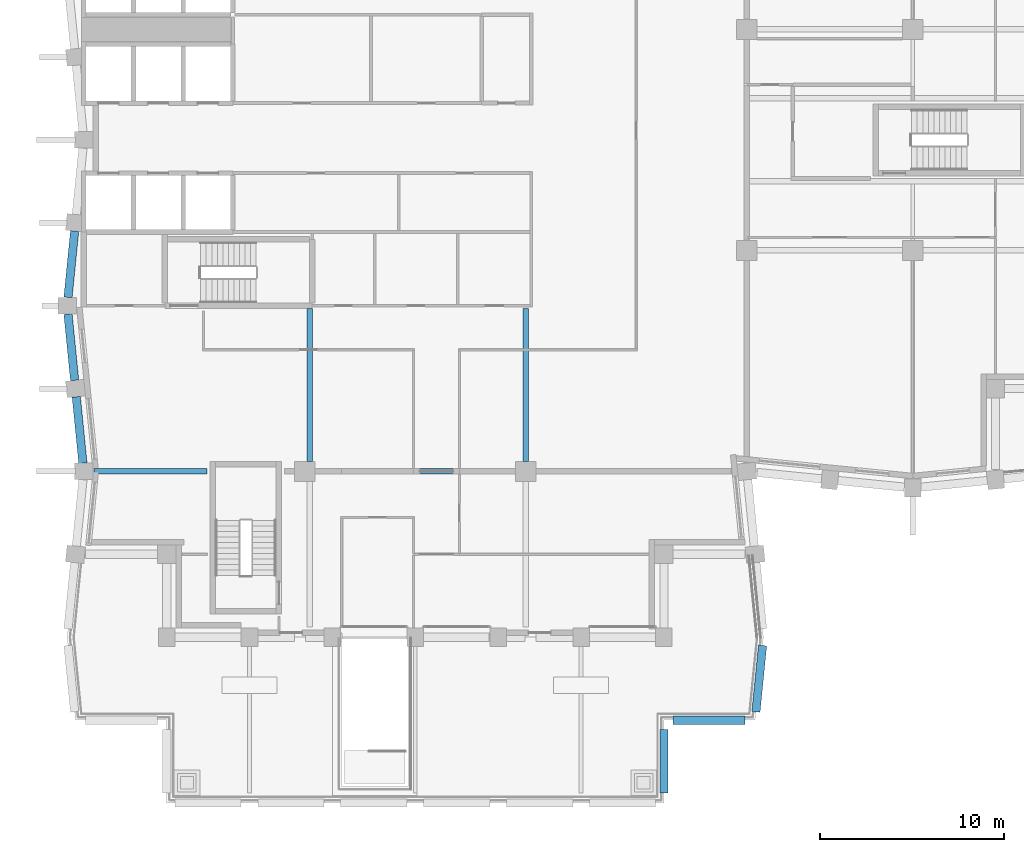
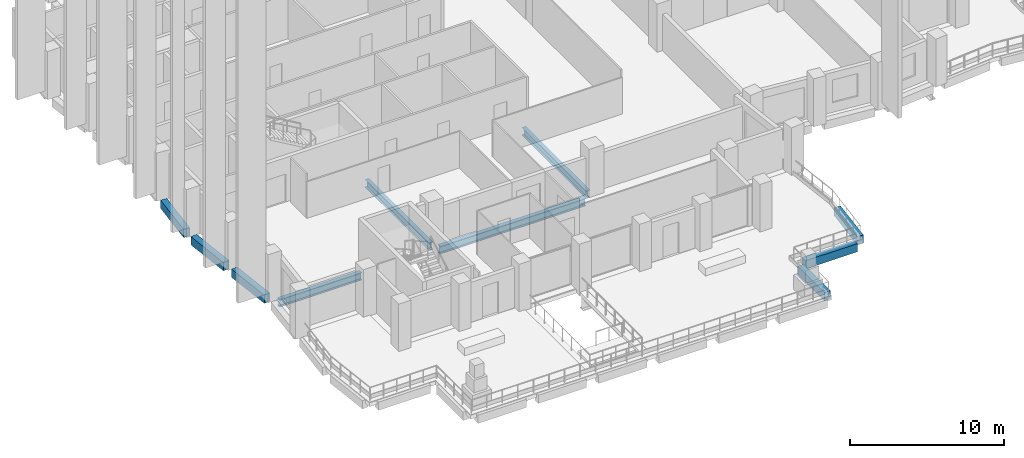
# One storey, part 3 of 19: 10 beams.
"""IFC4 building model written with IfcOpenShell, lengths in metres."""

from ifc_helpers import new_model, si_unit, direction, frame, origin, origin_2d, place, context, subcontext, project, spatial, rectangle, i_section, extrude, material, material_profile, profile_set, type_object, element, save


model = new_model("IFC4")

# Units and contexts
model_context = context("Model", 3, precision=1e-05, world=origin(), true_north=direction((0.0, 1.0)))
body_context = subcontext(model_context, "Body", "Model", "MODEL_VIEW")
ifc_project = project(units=[si_unit("LENGTHUNIT", "METRE"), si_unit("AREAUNIT", "SQUARE_METRE"), si_unit("VOLUMEUNIT", "CUBIC_METRE"), si_unit("PLANEANGLEUNIT", "RADIAN"), si_unit("MASSUNIT", "GRAM", prefix="KILO")], contexts=[model_context])

# Site, building, storey
site_placement = place(None, origin())
site = spatial("IfcSite", under=ifc_project, at=site_placement, CompositionType="ELEMENT")
building_placement = place(site_placement, origin())
building = spatial("IfcBuilding", under=site, at=building_placement, Name="Brondeck Convention Tower", CompositionType="ELEMENT")
storey_placement = place(building_placement, frame((0.0, 0.0, 198.800048828125)))
storey = spatial("IfcBuildingStorey", under=building, at=storey_placement, Name="L48", CompositionType="ELEMENT", Elevation=198.800048828125)

# Beams
ifc_material_1 = material(Name="Steel S355", Category="steel")
ifc_material_profile_1 = material_profile(ifc_material_1, i_section(OverallWidth=0.300048828125, OverallDepth=0.60009765625, WebThickness=0.015380859375, FlangeThickness=0.030029296875, FilletRadius=0.027099609375, at=origin_2d()), Name="HEB 600")
ifc_profile_set_1 = profile_set([ifc_material_profile_1], Name="Steel S355")
beam_type_1 = type_object("IfcBeamType", Name="Girder HEB 600", PredefinedType="BEAM", material=ifc_profile_set_1)
for number, where, z_axis, x_axis, name in (
    (1, (12.27001953125, 35.85009765625, -0.60009765625), (0.0, -1.0, 0.0), (1.0, 0.0, 0.0), "STR-GR-L48-009"),
    (2, (24.0, 35.85009765625, -0.60009765625), (0.0, -1.0, 0.0), (1.0, 0.0, 0.0), "STR-GR-L48-011"),
):
    element("IfcBeam", number, at=place(storey_placement, frame(where, z_axis=z_axis, x_axis=x_axis)), inside=storey, type_object=beam_type_1, Name=name, PredefinedType="BEAM", context=body_context, shape_type="SweptSolid", body=[
        extrude(i_section(OverallWidth=0.300048828125, OverallDepth=0.60009765625, WebThickness=0.015380859375, FlangeThickness=0.030029296875, FilletRadius=0.027099609375, at=origin_2d()), origin(), (0.0, 0.0, 1.0), 8.300048828125),
    ])
beam_1_placement = place(storey_placement, frame((0.550048828125, 27.0, -0.60009765625), z_axis=(1.0, 0.0, 0.0), x_axis=(0.0, 1.0, 0.0)))
element("IfcBeam", 3, at=beam_1_placement, inside=storey, type_object=beam_type_1, Name="STR-GR-L48-013", PredefinedType="BEAM", context=body_context, shape_type="SweptSolid", body=[
    extrude(i_section(OverallWidth=0.300048828125, OverallDepth=0.60009765625, WebThickness=0.015380859375, FlangeThickness=0.030029296875, FilletRadius=0.027099609375, at=origin_2d()), origin(), (0.0, 0.0, 1.0), 6.14990234375),
])
beam_2_placement = place(storey_placement, frame((12.550048828125, 27.0, -0.60009765625), z_axis=(1.0, 0.0, 0.0), x_axis=(0.0, 1.0, 0.0)))
element("IfcBeam", 4, at=beam_2_placement, inside=storey, type_object=beam_type_1, Name="STR-GR-L48-014", PredefinedType="BEAM", context=body_context, shape_type="SweptSolid", body=[
    extrude(i_section(OverallWidth=0.300048828125, OverallDepth=0.60009765625, WebThickness=0.015380859375, FlangeThickness=0.030029296875, FilletRadius=0.027099609375, at=origin_2d()), origin(), (0.0, 0.0, 1.0), 10.89990234375),
])
ifc_material_2 = material(Name="Concrete C50/60", Category="concrete")
ifc_material_profile_2 = material_profile(ifc_material_2, rectangle(XDim=0.449951171875, YDim=0.64990234375, at=origin_2d()), Name="Precast spandrel 450x650 Concrete C50/60")
ifc_profile_set_2 = profile_set([ifc_material_profile_2], Name="Concrete C50/60")
beam_type_2 = type_object("IfcBeamType", Name="Precast spandrel 450x650 Concrete C50/60", PredefinedType="SPANDREL", material=ifc_profile_set_2)
for number, where, z_axis, x_axis, name in (
    (5, (-0.494873046875, 40.05224609375, -0.324951171875), (-0.099470334057, -0.995040528141, 0.0), (0.995040528141, -0.099470334057, 0.0), "STR-SP-L48-021"),
    (6, (-0.85498046875, 35.550048828125, -0.324951171875), (0.099470334057, -0.995040528141, 0.0), (0.995040528141, 0.099470334057, 0.0), "STR-SP-L48-022"),
    (7, (-0.4052734375, 31.05224609375, -0.324951171875), (0.099537103649, -0.995033851182, 0.0), (0.995033851182, 0.099537103649, 0.0), "STR-SP-L48-023"),
    (8, (36.85498046875, 17.550048828125, -0.324951171875), (-0.099470334057, -0.995040528141, 0.0), (0.995040528141, -0.099470334057, 0.0), "STR-SP-L48T1-001"),
):
    element("IfcBeam", number, at=place(storey_placement, frame(where, z_axis=z_axis, x_axis=x_axis)), inside=storey, type_object=beam_type_2, Name=name, PredefinedType="SPANDREL", context=body_context, shape_type="SweptSolid", body=[
        extrude(rectangle(XDim=0.449951171875, YDim=0.64990234375, at=origin_2d()), origin(), (0.0, 0.0, 1.0), 3.620361328125),
    ])
beam_3_placement = place(storey_placement, frame((35.897216796875, 13.5, -0.324951171875), z_axis=(-1.0, 0.0, 0.0), x_axis=(0.0, -1.0, 0.0)))
element("IfcBeam", 9, at=beam_3_placement, inside=storey, type_object=beam_type_2, Name="STR-SP-L48T1-002", PredefinedType="SPANDREL", context=body_context, shape_type="SweptSolid", body=[
    extrude(rectangle(XDim=0.449951171875, YDim=0.64990234375, at=origin_2d()), origin(), (0.0, 0.0, 1.0), 3.897216796875),
])
beam_4_placement = place(storey_placement, frame((31.5, 13.0, -0.324951171875), z_axis=(0.0, -1.0, 0.0), x_axis=(1.0, 0.0, 0.0)))
element("IfcBeam", 10, at=beam_4_placement, inside=storey, type_object=beam_type_2, Name="STR-SP-L48T1-003", PredefinedType="SPANDREL", context=body_context, shape_type="SweptSolid", body=[
    extrude(rectangle(XDim=0.449951171875, YDim=0.64990234375, at=origin_2d()), origin(), (0.0, 0.0, 1.0), 3.449951171875),
])

save(model, "model.ifc")
